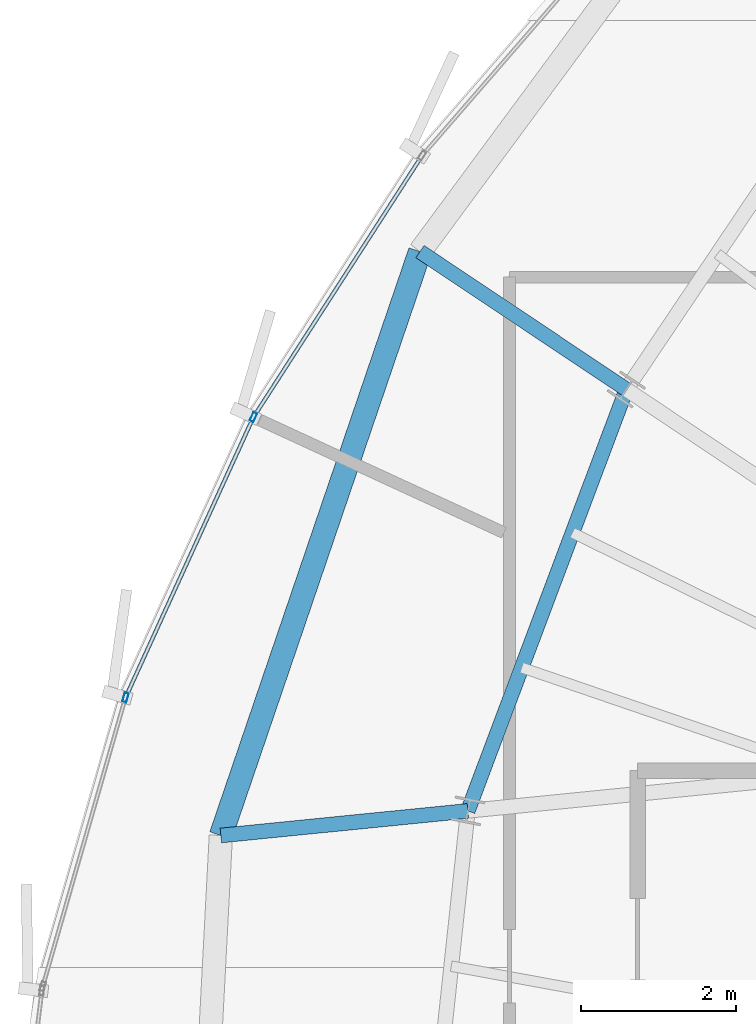
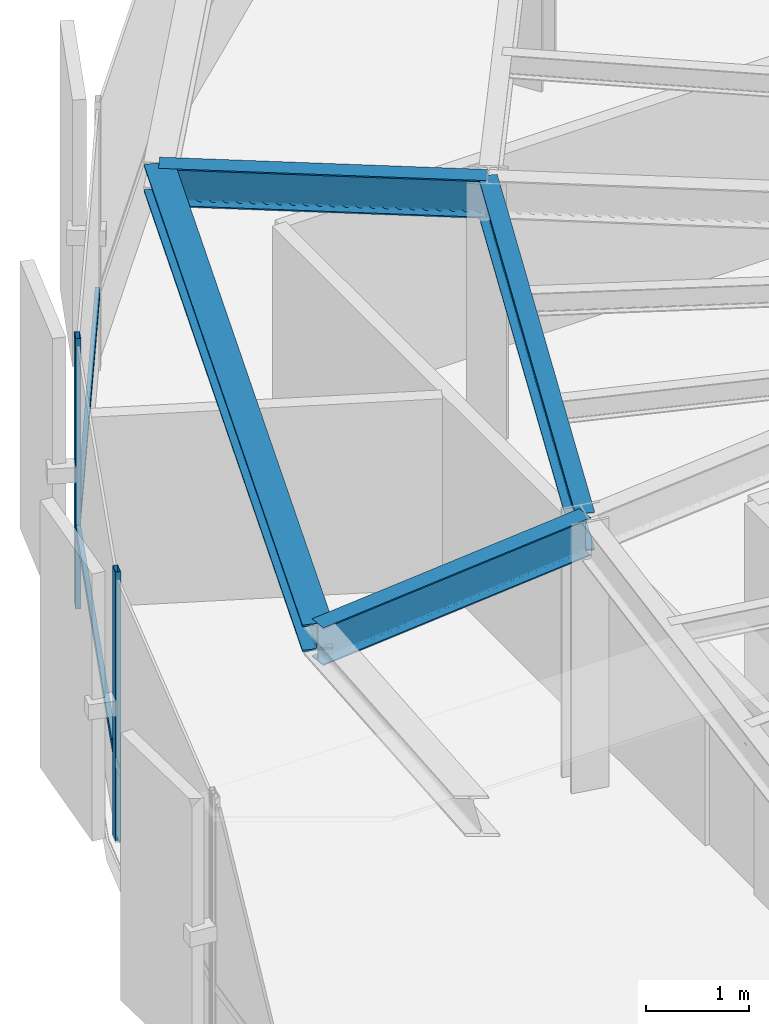
# One storey, part 11 of 35: 4 beams, 4 members, 1 element without a shape of its own.
"""IFC4 building model written with IfcOpenShell, lengths in metres."""

from ifc_helpers import new_model, si_unit, direction, frame, origin, origin_2d, place, context, subcontext, project, spatial, hollow_rectangle, i_section, extrude, source, transform, mapped, material, layer, layer_set, material_profile, profile_set, type_object, element, aggregate, save


model = new_model("IFC4")

# Units and contexts
model_context = context("Model", 3, precision=1e-05, world=origin(), true_north=direction((0.0, 1.0)))
body_context = subcontext(model_context, "Body", "Model", "MODEL_VIEW")
ifc_project = project(units=[si_unit("LENGTHUNIT", "METRE"), si_unit("AREAUNIT", "SQUARE_METRE"), si_unit("VOLUMEUNIT", "CUBIC_METRE"), si_unit("PLANEANGLEUNIT", "RADIAN"), si_unit("MASSUNIT", "GRAM", prefix="KILO"), si_unit("THERMODYNAMICTEMPERATUREUNIT", "KELVIN")], contexts=[model_context])

# Site, building, storey
site_placement = place(None, origin())
site = spatial("IfcSite", under=ifc_project, at=site_placement, CompositionType="ELEMENT")
building_placement = place(site_placement, origin())
building = spatial("IfcBuilding", under=site, at=building_placement, Name="Kethvar Cultural Tower", CompositionType="ELEMENT")
storey_placement = place(building_placement, frame((0.0, 0.0, 249.10009765625)))
storey = spatial("IfcBuildingStorey", under=building, at=storey_placement, Name="L65", CompositionType="ELEMENT", Elevation=249.10009765625)

# Beams
ifc_material_1 = material(Name="Steel S355J2", Category="steel")
ifc_material_profile_1 = material_profile(ifc_material_1, i_section(OverallWidth=0.18994140625, OverallDepth=0.449951171875, WebThickness=0.009521484375, FlangeThickness=0.0146484375, FilletRadius=0.02099609375, at=origin_2d()), Name="Steel S355J2 — IPE450")
ifc_profile_set_1 = profile_set([ifc_material_profile_1], Name="Steel S355J2 — IPE450")
beam_type_1 = type_object("IfcBeamType", Name="BM-IPE450", PredefinedType="BEAM", material=ifc_profile_set_1)
shared_shape_1 = source(origin(), body_context, "Body", "SweptSolid", [
    extrude(i_section(OverallWidth=0.18994140625, OverallDepth=0.449951171875, WebThickness=0.009521484375, FlangeThickness=0.0146484375, FilletRadius=0.02099609375, at=origin_2d()), origin(), (0.0, 0.0, 1.0), 3.2001953125),
])
beam_1_placement = place(storey_placement, frame((32.3125, 30.681884765625, 2.98291015625), z_axis=(-0.995047004836, -0.099405523829, 0.0), x_axis=(0.099405523829, -0.995047004836, 0.0)))
element("IfcBeam", 1, at=beam_1_placement, inside=storey, type_object=beam_type_1, Name="L65 Perimeter Cantilever Beam RC-08", PredefinedType="BEAM", context=body_context, shape_type="MappedRepresentation", body=[
    mapped(shared_shape_1, transform((0.0, 0.0, 0.0), scale=1.0)),
])
shared_shape_2 = source(origin(), body_context, "Body", "SweptSolid", [
    extrude(i_section(OverallWidth=0.18994140625, OverallDepth=0.449951171875, WebThickness=0.009521484375, FlangeThickness=0.0146484375, FilletRadius=0.02099609375, at=origin_2d()), origin(), (0.0, 0.0, 1.0), 3.19970703125),
])
beam_2_placement = place(storey_placement, frame((34.35595703125, 36.114990234375, 2.98291015625), z_axis=(-0.831498187863, 0.55552746429, 0.0), x_axis=(-0.55552746429, -0.831498187863, 0.0)))
element("IfcBeam", 2, at=beam_2_placement, inside=storey, type_object=beam_type_1, Name="L65 Perimeter Cantilever Beam RC-07", PredefinedType="BEAM", context=body_context, shape_type="MappedRepresentation", body=[
    mapped(shared_shape_2, transform((0.0, 0.0, 0.0), scale=1.0)),
])
shared_shape_3 = source(origin(), body_context, "Body", "SweptSolid", [
    extrude(i_section(OverallWidth=0.18994140625, OverallDepth=0.449951171875, WebThickness=0.009521484375, FlangeThickness=0.0146484375, FilletRadius=0.02099609375, at=origin_2d()), origin(), (0.0, 0.0, 1.0), 5.8046875),
])
beam_3_placement = place(storey_placement, frame((34.35595703125, 36.114990234375, 2.98291015625), z_axis=(-0.352035902861, -0.935986497283, 0.0), x_axis=(0.935986497283, -0.352035902861, 0.0)))
element("IfcBeam", 3, at=beam_3_placement, inside=storey, type_object=beam_type_1, Name="L65 Column Ring Tie Beam CR-07", PredefinedType="BEAM", context=body_context, shape_type="MappedRepresentation", body=[
    mapped(shared_shape_3, transform((0.0, 0.0, 0.0), scale=1.0)),
])
ifc_material_profile_2 = material_profile(ifc_material_1, i_section(OverallWidth=0.300048828125, OverallDepth=0.320068359375, WebThickness=0.011474609375, FlangeThickness=0.0205078125, FilletRadius=0.027099609375, at=origin_2d()), Name="Steel S355J2 — HEB320")
ifc_profile_set_2 = profile_set([ifc_material_profile_2], Name="Steel S355J2 — HEB320")
beam_type_2 = type_object("IfcBeamType", Name="BM-SP320", PredefinedType="SPANDREL", material=ifc_profile_set_2)
shared_shape_4 = source(origin(), body_context, "Body", "SweptSolid", [
    extrude(i_section(OverallWidth=0.300048828125, OverallDepth=0.320068359375, WebThickness=0.011474609375, FlangeThickness=0.0205078125, FilletRadius=0.027099609375, at=origin_2d()), origin(), (0.0, 0.0, 1.0), 7.954345703125),
])
beam_4_placement = place(storey_placement, frame((31.6953125, 37.892578125, 3.0478515625), z_axis=(-0.322730170507, -0.946491012659, 0.0), x_axis=(0.946491012659, -0.322730170507, 0.0)))
element("IfcBeam", 4, at=beam_4_placement, inside=storey, type_object=beam_type_2, Name="L65 Perimeter Spandrel Beam SP-07", PredefinedType="SPANDREL", context=body_context, shape_type="MappedRepresentation", body=[
    mapped(shared_shape_4, transform((0.0, 0.0, 0.0), scale=1.0)),
])

# Curtain wall, members
ifc_material_2 = material(Name="Aluminium 6063-T6", Category="aluminium")
ifc_layer = layer(ifc_material_2, 0.179931640625, Name="Aluminium 6063-T6", Category="aluminium")
ifc_layer_set = layer_set([ifc_layer], Name="Aluminium 6063-T6 (180 mm)")
curtain_wall_type = type_object("IfcCurtainWallType", Name="CW-SYS-05-Z56", PredefinedType="NOTDEFINED", material=ifc_layer_set)
curtain_wall_placement = place(storey_placement, origin())
curtain_wall = element("IfcCurtainWall", 5, at=curtain_wall_placement, inside=storey, type_object=curtain_wall_type, Name="L65 Curtain Wall Run 02", PredefinedType="NOTDEFINED")
ifc_material_profile_3 = material_profile(ifc_material_2, hollow_rectangle(XDim=0.054931640625, YDim=0.1201171875, WallThickness=0.00390625, at=origin_2d()), Name="Aluminium 6063-T6 — RHS120x55x4")
ifc_profile_set_3 = profile_set([ifc_material_profile_3], Name="Aluminium 6063-T6 — RHS120x55x4")
member_type_1 = type_object("IfcMemberType", Name="CW-SYS-05-Z56-MUL", PredefinedType="MULLION", material=ifc_profile_set_3)
shared_shape_5 = source(origin(), body_context, "Body", "SweptSolid", [
    extrude(hollow_rectangle(XDim=0.054931640625, YDim=0.1201171875, WallThickness=0.00390625, at=origin_2d()), origin(), (0.0, 0.0, 1.0), 3.2099609375),
])
member_1_placement = place(storey_placement, frame((29.54833984375, 35.7578125, 0.0), z_axis=(0.0, 0.0, 1.0), x_axis=(0.90987439777, -0.414883815403, 0.0)))
member_1 = element("IfcMember", 6, at=member_1_placement, type_object=member_type_1, Name="CW-L65-R02 Mullion 5", PredefinedType="MULLION", context=body_context, shape_type="MappedRepresentation", body=[
    mapped(shared_shape_5, transform((0.0, 0.0, 0.0), scale=1.0)),
])
member_2_placement = place(storey_placement, frame((27.8994140625, 32.14404296875, 0.0), z_axis=(0.0, 0.0, 1.0), x_axis=(0.961362657737, -0.275285016498, 0.0)))
member_2 = element("IfcMember", 7, at=member_2_placement, type_object=member_type_1, Name="CW-L65-R02 Mullion 6", PredefinedType="MULLION", context=body_context, shape_type="MappedRepresentation", body=[
    mapped(shared_shape_5, transform((0.0, 0.0, 0.0), scale=1.0)),
])
ifc_material_profile_4 = material_profile(ifc_material_2, hollow_rectangle(XDim=0.050048828125, YDim=0.10009765625, WallThickness=0.00390625, at=origin_2d()), Name="Aluminium 6063-T6 — RHS100x50x4")
ifc_profile_set_4 = profile_set([ifc_material_profile_4], Name="Aluminium 6063-T6 — RHS100x50x4")
member_type_2 = type_object("IfcMemberType", Name="CW-SYS-05-Z56-TRN", PredefinedType="USERDEFINED", material=ifc_profile_set_4)
shared_shape_6 = source(origin(), body_context, "Body", "SweptSolid", [
    extrude(hollow_rectangle(XDim=0.050048828125, YDim=0.10009765625, WallThickness=0.00390625, at=origin_2d()), origin(), (0.0, 0.0, 1.0), 3.947265625),
])
member_3_placement = place(storey_placement, frame((31.700927734375, 39.09619140625, 0.949951171875), z_axis=(-0.541701333727, -0.840571035094, 0.0), x_axis=(0.840571035094, -0.541701333727, 0.0)))
member_3 = element("IfcMember", 8, at=member_3_placement, type_object=member_type_2, Name="CW-L65-R02 Transom 4", ObjectType="TRANSOM", PredefinedType="USERDEFINED", context=body_context, shape_type="MappedRepresentation", body=[
    mapped(shared_shape_6, transform((0.0, 0.0, 0.0), scale=1.0)),
])
shared_shape_7 = source(origin(), body_context, "Body", "SweptSolid", [
    extrude(hollow_rectangle(XDim=0.050048828125, YDim=0.10009765625, WallThickness=0.00390625, at=origin_2d()), origin(), (0.0, 0.0, 1.0), 3.907958984375),
])
member_4_placement = place(storey_placement, frame((29.531982421875, 35.7216796875, 0.949951171875), z_axis=(-0.414889953814, -0.909871598757, 0.0), x_axis=(0.909871598757, -0.414889953814, 0.0)))
member_4 = element("IfcMember", 9, at=member_4_placement, type_object=member_type_2, Name="CW-L65-R02 Transom 5", ObjectType="TRANSOM", PredefinedType="USERDEFINED", context=body_context, shape_type="MappedRepresentation", body=[
    mapped(shared_shape_7, transform((0.0, 0.0, 0.0), scale=1.0)),
])
aggregate(curtain_wall, [member_1, member_2, member_3, member_4])

save(model, "model.ifc")
